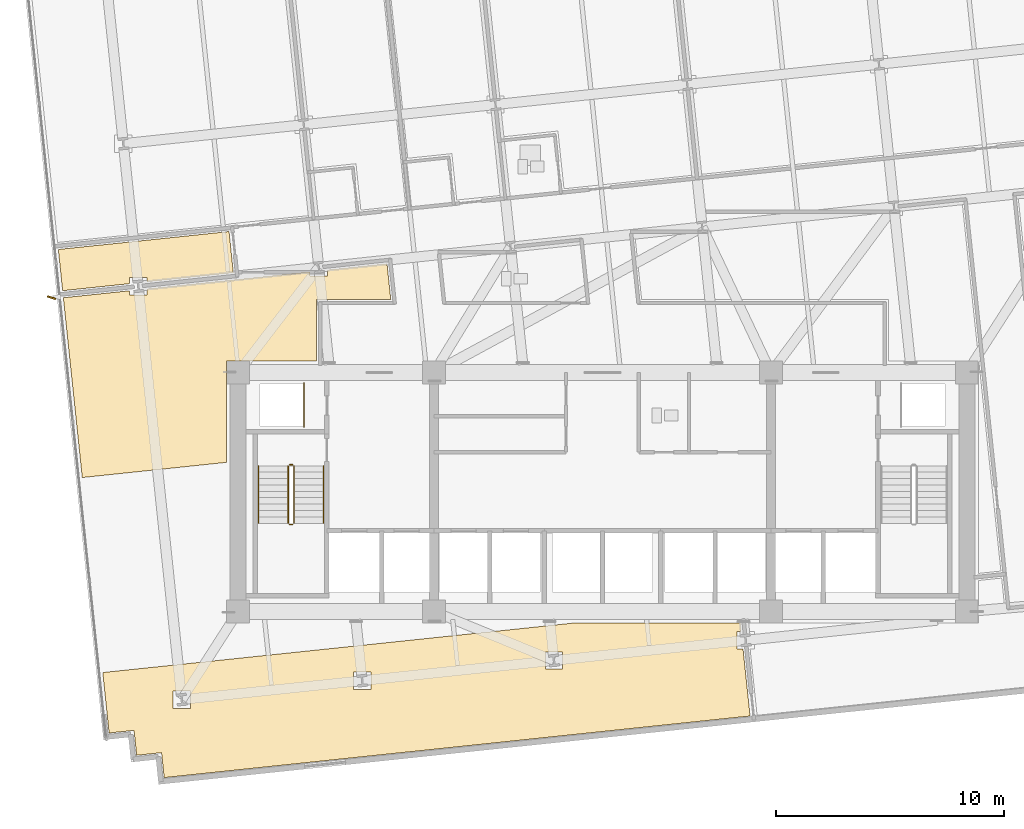
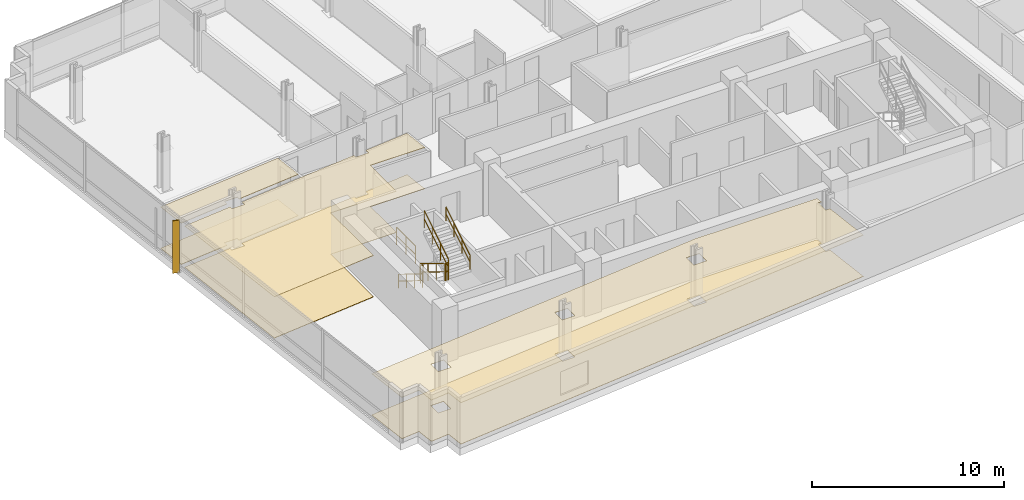
# One storey, part 14 of 18: 7 railings, 6 coverings, 1 shading device.
"""IFC4 building model written with IfcOpenShell, lengths in metres."""

from ifc_helpers import new_model, si_unit, direction, frame, origin, origin_2d, place, context, subcontext, project, spatial, polyline, rectangle, circle, outline, extrude, material, layer, layer_set, type_object, element, save


model = new_model("IFC4")

# Units and contexts
model_context = context("Model", 3, precision=1e-05, world=origin(), true_north=direction((0.0, 1.0)))
body_context = subcontext(model_context, "Body", "Model", "MODEL_VIEW")
ifc_project = project(units=[si_unit("LENGTHUNIT", "METRE"), si_unit("AREAUNIT", "SQUARE_METRE"), si_unit("VOLUMEUNIT", "CUBIC_METRE"), si_unit("PLANEANGLEUNIT", "RADIAN"), si_unit("MASSUNIT", "GRAM", prefix="KILO")], contexts=[model_context])

# Site, building, storey
site_placement = place(None, origin())
site = spatial("IfcSite", under=ifc_project, at=site_placement, CompositionType="ELEMENT")
building_placement = place(site_placement, origin())
building = spatial("IfcBuilding", under=site, at=building_placement, Name="Solmavex Isthmus Hotel", CompositionType="ELEMENT")
storey_placement = place(building_placement, frame((0.0, 0.0, 80.10009765625)))
storey = spatial("IfcBuildingStorey", under=building, at=storey_placement, Name="L21", CompositionType="ELEMENT", Elevation=80.10009765625)

# Coverings
ifc_material_1 = material(Name="Gypsum plasterboard lining", Category="gypsum")
ifc_layer_1 = layer(ifc_material_1, 0.030029296875)
ifc_layer_set_1 = layer_set([ifc_layer_1], Name="Gypsum plasterboard lining")
covering_type_1 = type_object("IfcCoveringType", Name="COV-CEIL-GYP", PredefinedType="CEILING", material=ifc_layer_set_1)
covering_1_placement = place(storey_placement, frame((0.0, 0.0, 2.619873046875)))
element("IfcCovering", 1, at=covering_1_placement, inside=storey, type_object=covering_type_1, Name="Suspended Acoustic Ceiling L21-FL09", PredefinedType="CEILING", context=body_context, shape_type="SweptSolid", body=[
    extrude(outline(polyline([(-16.20947265625, 1.88037109375), (-16.399658203125, 3.690185546875), (-23.896240234375, 2.90234375), (-23.7060546875, 1.09228515625), (-20.76318359375, 1.401611328125), (-20.76318359375, 1.665771484375), (-20.003173828125, 1.665771484375), (-20.003173828125, 1.4814453125), (-16.20947265625, 1.88037109375)])), origin(), (0.0, 0.0, 1.0), 0.030029296875),
])
covering_2_placement = place(storey_placement, frame((0.0, 0.0, 2.619873046875)))
element("IfcCovering", 2, at=covering_2_placement, inside=storey, type_object=covering_type_1, Name="Suspended Acoustic Ceiling L21-FL14", PredefinedType="CEILING", context=body_context, shape_type="SweptSolid", body=[
    extrude(outline(polyline([(-20.003173828125, 1.169921875), (-20.003173828125, 0.90576171875), (-20.76318359375, 0.90576171875), (-20.76318359375, 1.08984375), (-23.673583984375, 0.783935546875), (-22.84375, -7.112548828125), (-16.5048828125, -6.4462890625), (-16.5048828125, -1.9951171875), (-12.554931640625, -1.9951171875), (-12.554931640625, 0.705078125), (-9.295654296875, 0.705078125), (-9.4609375, 2.27783203125), (-12.078857421875, 2.002685546875), (-12.078857421875, 1.738525390625), (-12.8388671875, 1.738525390625), (-12.8388671875, 1.9228515625), (-20.003173828125, 1.169921875)])), origin(), (0.0, 0.0, 1.0), 0.030029296875),
])
covering_3_placement = place(storey_placement, frame((0.0, 0.0, 2.619873046875)))
element("IfcCovering", 3, at=covering_3_placement, inside=storey, type_object=covering_type_1, Name="Suspended Acoustic Ceiling L21-FL17", PredefinedType="CEILING", context=body_context, shape_type="SweptSolid", body=[
    extrude(outline(polyline([(6.172119140625, -14.6416015625), (5.908203125, -14.6416015625), (5.908203125, -13.881591796875), (6.09228515625, -13.881591796875), (6.052734375, -13.5048828125), (-1.294677734375, -13.5048828125), (-21.94384765625, -15.67529296875), (-21.7509765625, -17.51025390625), (-21.66455078125, -18.33056640625), (-20.57080078125, -18.2158203125), (-20.455810546875, -19.3095703125), (-19.36181640625, -19.194580078125), (-19.246826171875, -20.28857421875), (-18.42626953125, -20.202392578125), (6.4814453125, -17.58447265625), (6.172119140625, -14.6416015625)]), holes=[polyline([(-2.511474609375, -15.5263671875), (-2.511474609375, -14.766357421875), (-1.75146484375, -14.766357421875), (-1.75146484375, -15.5263671875), (-2.511474609375, -15.5263671875)]), polyline([(-10.93115234375, -16.411376953125), (-10.93115234375, -15.6513671875), (-10.171142578125, -15.6513671875), (-10.171142578125, -16.411376953125), (-10.93115234375, -16.411376953125)]), polyline([(-18.85546875, -17.244384765625), (-18.85546875, -16.484375), (-18.095458984375, -16.484375), (-18.095458984375, -17.244384765625), (-18.85546875, -17.244384765625)])]), origin(), (0.0, 0.0, 1.0), 0.030029296875),
])
ifc_material_2 = material(Name="Travertine natural stone", Category="masonry")
ifc_layer_2 = layer(ifc_material_2, 0.02490234375)
ifc_layer_set_2 = layer_set([ifc_layer_2], Name="Travertine natural stone")
covering_type_2 = type_object("IfcCoveringType", Name="COV-FLOR-STN", PredefinedType="FLOORING", material=ifc_layer_set_2)
covering_4_placement = place(storey_placement, origin())
element("IfcCovering", 4, at=covering_4_placement, inside=storey, type_object=covering_type_2, Name="Stone and Timber Floor Finish L21-FL09", PredefinedType="FLOORING", context=body_context, shape_type="SweptSolid", body=[
    extrude(outline(polyline([(-16.20947265625, 1.88037109375), (-16.399658203125, 3.690185546875), (-23.896240234375, 2.90234375), (-23.7060546875, 1.09228515625), (-20.76318359375, 1.401611328125), (-20.76318359375, 1.665771484375), (-20.003173828125, 1.665771484375), (-20.003173828125, 1.4814453125), (-16.20947265625, 1.88037109375)])), origin(), (0.0, 0.0, 1.0), 0.02490234375),
])
covering_5_placement = place(storey_placement, origin())
element("IfcCovering", 5, at=covering_5_placement, inside=storey, type_object=covering_type_2, Name="Stone and Timber Floor Finish L21-FL14", PredefinedType="FLOORING", context=body_context, shape_type="SweptSolid", body=[
    extrude(outline(polyline([(-20.003173828125, 1.169921875), (-20.003173828125, 0.90576171875), (-20.76318359375, 0.90576171875), (-20.76318359375, 1.08984375), (-23.673583984375, 0.783935546875), (-22.84375, -7.112548828125), (-16.5048828125, -6.4462890625), (-16.5048828125, -1.9951171875), (-12.554931640625, -1.9951171875), (-12.554931640625, 0.705078125), (-9.295654296875, 0.705078125), (-9.4609375, 2.27783203125), (-12.078857421875, 2.002685546875), (-12.078857421875, 1.738525390625), (-12.8388671875, 1.738525390625), (-12.8388671875, 1.9228515625), (-20.003173828125, 1.169921875)])), origin(), (0.0, 0.0, 1.0), 0.02490234375),
])
covering_6_placement = place(storey_placement, origin())
element("IfcCovering", 6, at=covering_6_placement, inside=storey, type_object=covering_type_2, Name="Stone and Timber Floor Finish L21-FL17", PredefinedType="FLOORING", context=body_context, shape_type="SweptSolid", body=[
    extrude(outline(polyline([(6.172119140625, -14.6416015625), (5.908203125, -14.6416015625), (5.908203125, -13.881591796875), (6.09228515625, -13.881591796875), (6.052734375, -13.5048828125), (-1.294677734375, -13.5048828125), (-21.94384765625, -15.67529296875), (-21.7509765625, -17.51025390625), (-21.66455078125, -18.33056640625), (-20.57080078125, -18.2158203125), (-20.455810546875, -19.3095703125), (-19.36181640625, -19.194580078125), (-19.246826171875, -20.28857421875), (-18.42626953125, -20.202392578125), (6.4814453125, -17.58447265625), (6.172119140625, -14.6416015625)]), holes=[polyline([(-2.511474609375, -15.5263671875), (-2.511474609375, -14.766357421875), (-1.75146484375, -14.766357421875), (-1.75146484375, -15.5263671875), (-2.511474609375, -15.5263671875)]), polyline([(-10.93115234375, -16.411376953125), (-10.93115234375, -15.6513671875), (-10.171142578125, -15.6513671875), (-10.171142578125, -16.411376953125), (-10.93115234375, -16.411376953125)]), polyline([(-18.85546875, -17.244384765625), (-18.85546875, -16.484375), (-18.095458984375, -16.484375), (-18.095458984375, -17.244384765625), (-18.85546875, -17.244384765625)])]), origin(), (0.0, 0.0, 1.0), 0.02490234375),
])

# Railings
ifc_material_3 = material(Name="Clear low-E laminated glass", Category="glass")
ifc_layer_3 = layer(ifc_material_3, 0.080078125)
ifc_layer_set_3 = layer_set([ifc_layer_3], Name="Clear low-E laminated glass")
railing_type_1 = type_object("IfcRailingType", Name="RAIL-ATRIUM-1120", PredefinedType="BALUSTRADE", material=ifc_layer_set_3)
railing_1_placement = place(storey_placement, frame((-13.10009765625, -4.89990234375, 0.0)))
element("IfcRailing", 7, at=railing_1_placement, inside=storey, type_object=railing_type_1, Name="Guardrail Balustrade L21-RSW-01", PredefinedType="BALUSTRADE", context=body_context, shape_type="SweptSolid", body=[
    extrude(circle(Radius=0.02392578125, at=origin_2d()), frame((0.0, 0.0, 1.1259765625), z_axis=(0.0, 1.0, 0.0), x_axis=(-1.0, 0.0, 0.0)), (0.0, 0.0, 1.0), 1.949951171875),
    extrude(circle(Radius=0.02392578125, at=origin_2d()), frame((0.0, 0.0, 0.574951171875), z_axis=(0.0, 1.0, 0.0), x_axis=(-1.0, 0.0, 0.0)), (0.0, 0.0, 1.0), 1.949951171875),
    extrude(circle(Radius=0.02099609375, at=origin_2d()), origin(), (0.0, 0.0, 1.0), 1.101806640625),
    extrude(circle(Radius=0.02099609375, at=origin_2d()), frame((0.0, 0.97509765625, 0.0)), (0.0, 0.0, 1.0), 1.101806640625),
    extrude(circle(Radius=0.02099609375, at=origin_2d()), frame((0.0, 1.949951171875, 0.0)), (0.0, 0.0, 1.0), 1.101806640625),
])
ifc_material_4 = material(Name="Stainless steel 316", Category="steel")
ifc_layer_4 = layer(ifc_material_4, 0.06005859375)
ifc_layer_set_4 = layer_set([ifc_layer_4], Name="Stainless steel 316")
railing_type_2 = type_object("IfcRailingType", Name="RAIL-STAIR-GD", PredefinedType="GUARDRAIL", material=ifc_layer_set_4)
railing_2_placement = place(storey_placement, frame((-13.800048828125, -6.60009765625, 0.17236328125)))
element("IfcRailing", 8, at=railing_2_placement, inside=storey, type_object=railing_type_2, Name="L21 ST-1 stair guard 1", PredefinedType="GUARDRAIL", context=body_context, shape_type="SweptSolid", body=[
    extrude(circle(Radius=0.02392578125, at=origin_2d()), frame((0.0, 0.0, 1.09619140625), z_axis=(0.0, -0.851400495292, 0.524516154772), x_axis=(1.0, 0.0, 0.0)), (0.0, 0.0, 1.0), 2.9599609375),
    extrude(circle(Radius=0.02392578125, at=origin_2d()), frame((0.0, 0.0, 0.56005859375), z_axis=(0.0, -0.851400495292, 0.524516154772), x_axis=(1.0, 0.0, 0.0)), (0.0, 0.0, 1.0), 2.9599609375),
    extrude(circle(Radius=0.02099609375, at=origin_2d()), origin(), (0.0, 0.0, 1.0), 1.072021484375),
    extrude(circle(Radius=0.02099609375, at=origin_2d()), frame((0.0, -0.840087890625, 0.517578125)), (0.0, 0.0, 1.0), 1.072021484375),
    extrude(circle(Radius=0.02099609375, at=origin_2d()), frame((0.0, -1.679931640625, 1.034912109375)), (0.0, 0.0, 1.0), 1.072021484375),
    extrude(circle(Radius=0.02099609375, at=origin_2d()), frame((0.0, -2.52001953125, 1.552490234375)), (0.0, 0.0, 1.0), 1.072021484375),
])
railing_3_placement = place(storey_placement, frame((-13.75, -9.169921875, 1.724853515625)))
element("IfcRailing", 9, at=railing_3_placement, inside=storey, type_object=railing_type_2, Name="L21 ST-1 stair guard 2", PredefinedType="GUARDRAIL", context=body_context, shape_type="SweptSolid", body=[
    extrude(circle(Radius=0.02392578125, at=origin_2d()), frame((0.0, 0.0, 1.09619140625), z_axis=(1.0, 0.0, 0.0), x_axis=(0.0, 1.0, 0.0)), (0.0, 0.0, 1.0), 0.14990234375),
    extrude(circle(Radius=0.02392578125, at=origin_2d()), frame((0.0, 0.0, 0.56005859375), z_axis=(1.0, 0.0, 0.0), x_axis=(0.0, 1.0, 0.0)), (0.0, 0.0, 1.0), 0.14990234375),
    extrude(circle(Radius=0.02099609375, at=origin_2d()), origin(), (0.0, 0.0, 1.0), 1.072021484375),
    extrude(circle(Radius=0.02099609375, at=origin_2d()), frame((0.14990234375, 0.0, 0.0)), (0.0, 0.0, 1.0), 1.072021484375),
])
railing_4_placement = place(storey_placement, frame((-13.550048828125, -9.1201171875, 1.8974609375)))
element("IfcRailing", 10, at=railing_4_placement, inside=storey, type_object=railing_type_2, Name="L21 ST-1 stair guard 3", PredefinedType="GUARDRAIL", context=body_context, shape_type="SweptSolid", body=[
    extrude(circle(Radius=0.02392578125, at=origin_2d()), frame((0.0, 0.0, 1.09619140625), z_axis=(0.0, 0.851400495292, 0.524516154772), x_axis=(-1.0, 0.0, 0.0)), (0.0, 0.0, 1.0), 2.9599609375),
    extrude(circle(Radius=0.02392578125, at=origin_2d()), frame((0.0, 0.0, 0.56005859375), z_axis=(0.0, 0.851400495292, 0.524516154772), x_axis=(-1.0, 0.0, 0.0)), (0.0, 0.0, 1.0), 2.9599609375),
    extrude(circle(Radius=0.02099609375, at=origin_2d()), origin(), (0.0, 0.0, 1.0), 1.072021484375),
    extrude(circle(Radius=0.02099609375, at=origin_2d()), frame((0.0, 0.840087890625, 0.517578125)), (0.0, 0.0, 1.0), 1.072021484375),
    extrude(circle(Radius=0.02099609375, at=origin_2d()), frame((0.0, 1.679931640625, 1.034912109375)), (0.0, 0.0, 1.0), 1.072021484375),
    extrude(circle(Radius=0.02099609375, at=origin_2d()), frame((0.0, 2.52001953125, 1.552490234375)), (0.0, 0.0, 1.0), 1.072021484375),
])
railing_5_placement = place(storey_placement, frame((-13.75, -6.550048828125, 0.0)))
element("IfcRailing", 11, at=railing_5_placement, inside=storey, type_object=railing_type_2, Name="L21 ST-1 stair guard 4", PredefinedType="GUARDRAIL", context=body_context, shape_type="SweptSolid", body=[
    extrude(circle(Radius=0.02392578125, at=origin_2d()), frame((0.0, 0.0, 1.09619140625), z_axis=(1.0, 0.0, 0.0), x_axis=(0.0, 1.0, 0.0)), (0.0, 0.0, 1.0), 0.14990234375),
    extrude(circle(Radius=0.02392578125, at=origin_2d()), frame((0.0, 0.0, 0.56005859375), z_axis=(1.0, 0.0, 0.0), x_axis=(0.0, 1.0, 0.0)), (0.0, 0.0, 1.0), 0.14990234375),
    extrude(circle(Radius=0.02099609375, at=origin_2d()), origin(), (0.0, 0.0, 1.0), 1.072021484375),
    extrude(circle(Radius=0.02099609375, at=origin_2d()), frame((0.14990234375, 0.0, 0.0)), (0.0, 0.0, 1.0), 1.072021484375),
])
ifc_layer_5 = layer(ifc_material_4, 0.050048828125)
ifc_layer_set_5 = layer_set([ifc_layer_5], Name="Stainless steel 316")
railing_type_3 = type_object("IfcRailingType", Name="RAIL-STAIR-HR", PredefinedType="HANDRAIL", material=ifc_layer_set_5)
railing_6_placement = place(storey_placement, frame((-15.10009765625, -6.60009765625, 0.17236328125)))
element("IfcRailing", 12, at=railing_6_placement, inside=storey, type_object=railing_type_3, Name="L21 ST-1 stair handrail 1", PredefinedType="HANDRAIL", context=body_context, shape_type="SweptSolid", body=[
    extrude(circle(Radius=0.02392578125, at=origin_2d()), frame((0.0, 0.0, 0.8759765625), z_axis=(0.0, -0.851400495292, 0.524516154772), x_axis=(1.0, 0.0, 0.0)), (0.0, 0.0, 1.0), 2.9599609375),
    extrude(circle(Radius=0.02392578125, at=origin_2d()), frame((0.0, 0.0, 0.449951171875), z_axis=(0.0, -0.851400495292, 0.524516154772), x_axis=(1.0, 0.0, 0.0)), (0.0, 0.0, 1.0), 2.9599609375),
    extrude(circle(Radius=0.02099609375, at=origin_2d()), origin(), (0.0, 0.0, 1.0), 0.851806640625),
    extrude(circle(Radius=0.02099609375, at=origin_2d()), frame((0.0, -0.840087890625, 0.517578125)), (0.0, 0.0, 1.0), 0.851806640625),
    extrude(circle(Radius=0.02099609375, at=origin_2d()), frame((0.0, -1.679931640625, 1.034912109375)), (0.0, 0.0, 1.0), 0.851806640625),
    extrude(circle(Radius=0.02099609375, at=origin_2d()), frame((0.0, -2.52001953125, 1.552490234375)), (0.0, 0.0, 1.0), 0.851806640625),
])
railing_7_placement = place(storey_placement, frame((-12.25, -9.1201171875, 1.8974609375)))
element("IfcRailing", 13, at=railing_7_placement, inside=storey, type_object=railing_type_3, Name="L21 ST-1 stair handrail 2", PredefinedType="HANDRAIL", context=body_context, shape_type="SweptSolid", body=[
    extrude(circle(Radius=0.02392578125, at=origin_2d()), frame((0.0, 0.0, 0.8759765625), z_axis=(0.0, 0.851400495292, 0.524516154772), x_axis=(-1.0, 0.0, 0.0)), (0.0, 0.0, 1.0), 2.9599609375),
    extrude(circle(Radius=0.02392578125, at=origin_2d()), frame((0.0, 0.0, 0.449951171875), z_axis=(0.0, 0.851400495292, 0.524516154772), x_axis=(-1.0, 0.0, 0.0)), (0.0, 0.0, 1.0), 2.9599609375),
    extrude(circle(Radius=0.02099609375, at=origin_2d()), origin(), (0.0, 0.0, 1.0), 0.851806640625),
    extrude(circle(Radius=0.02099609375, at=origin_2d()), frame((0.0, 0.840087890625, 0.517578125)), (0.0, 0.0, 1.0), 0.851806640625),
    extrude(circle(Radius=0.02099609375, at=origin_2d()), frame((0.0, 1.679931640625, 1.034912109375)), (0.0, 0.0, 1.0), 0.851806640625),
    extrude(circle(Radius=0.02099609375, at=origin_2d()), frame((0.0, 2.52001953125, 1.552490234375)), (0.0, 0.0, 1.0), 0.851806640625),
])

# Shading device
ifc_material_5 = material(Name="Aluminium alloy 6063-T6", Category="aluminium")
shading_device_type = type_object("IfcShadingDeviceType", Name="SHD-FIN-CHAMP", PredefinedType="USERDEFINED", material=ifc_material_5)
shading_device_placement = place(storey_placement, frame((-24.191650390625, 0.784912109375, -0.14013671875), z_axis=(0.0, 0.0, 1.0), x_axis=(-0.951056516295, 0.309016994375, 0.0)))
element("IfcShadingDevice", 14, at=shading_device_placement, inside=storey, type_object=shading_device_type, Name="Anodised Aluminium Solar Fin L21-W1", ObjectType="SOLAR_FIN", PredefinedType="USERDEFINED", context=body_context, shape_type="SweptSolid", body=[
    extrude(rectangle(XDim=0.3798828125, YDim=0.070068359375, at=origin_2d()), origin(), (0.0, 0.0, 1.0), 3.330078125),
])

save(model, "model.ifc")
